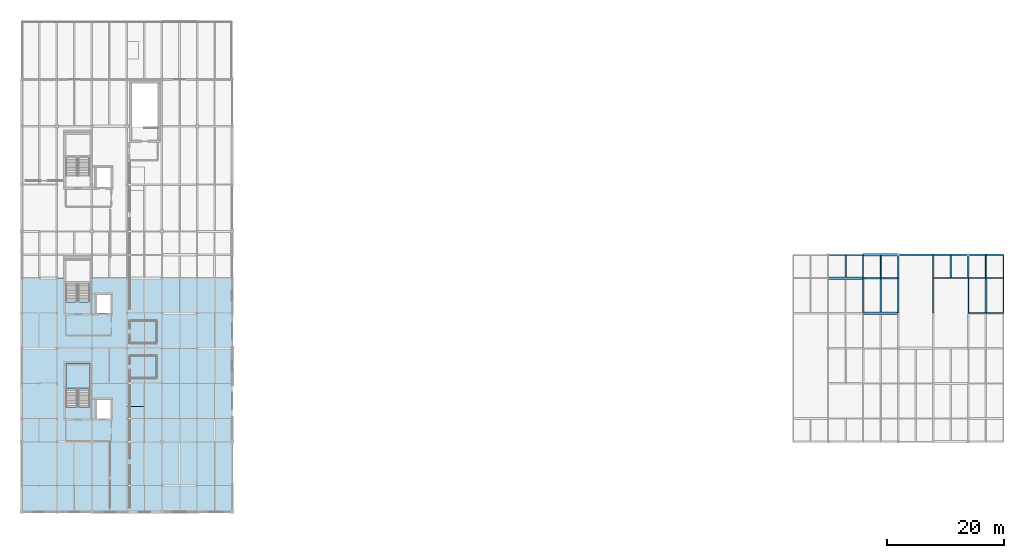
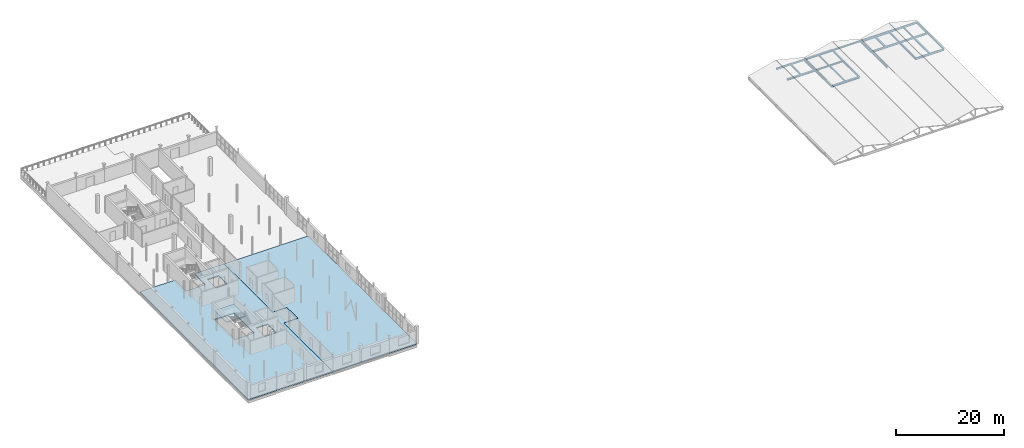
# One storey, part 23 of 35: 27 beams, 3 slabs, 1 element without a shape of its own.
"""IFC4 building model written with IfcOpenShell, lengths in metres."""

from ifc_helpers import new_model, si_unit, direction, frame, origin, origin_2d, place, context, subcontext, project, spatial, polyline, i_section, outline, extrude, material, layer, layer_set, material_profile, profile_set, type_object, element, aggregate, save


model = new_model("IFC4")

# Units and contexts
model_context = context("Model", 3, precision=1e-05, world=origin(), true_north=direction((0.0, 1.0)))
body_context = subcontext(model_context, "Body", "Model", "MODEL_VIEW")
ifc_project = project(units=[si_unit("LENGTHUNIT", "METRE"), si_unit("AREAUNIT", "SQUARE_METRE"), si_unit("VOLUMEUNIT", "CUBIC_METRE"), si_unit("PLANEANGLEUNIT", "RADIAN"), si_unit("MASSUNIT", "GRAM", prefix="KILO")], contexts=[model_context])

# Site, building, storey
site_placement = place(None, origin())
site = spatial("IfcSite", under=ifc_project, at=site_placement, CompositionType="ELEMENT")
building_placement = place(site_placement, origin())
building = spatial("IfcBuilding", under=site, at=building_placement, Name="Verrall Gate Interchange", CompositionType="ELEMENT")
storey_placement = place(building_placement, frame((0.0, 0.0, 15.39990234375)))
storey = spatial("IfcBuildingStorey", under=building, at=storey_placement, Name="L04", CompositionType="ELEMENT", Elevation=15.39990234375)

# Beams
ifc_material_1 = material(Name="Structural Steel CSA G40.21 350W", Category="steel")
ifc_material_profile_1 = material_profile(ifc_material_1, i_section(OverallWidth=0.2109375, OverallDepth=0.5390625, WebThickness=0.01171875, FlangeThickness=0.018798828125, FilletRadius=0.013916015625, at=origin_2d()), Name="W530x109")
ifc_profile_set_1 = profile_set([ifc_material_profile_1], Name="Structural Steel CSA G40.21 350W")
beam_type_1 = type_object("IfcBeamType", Name="B-10 Structural Beam W530x109", PredefinedType="BEAM", material=ifc_profile_set_1)
beam_1_placement = place(storey_placement, frame((156.0, 44.0, -0.599365234375), z_axis=(1.0, 0.0, 0.0), x_axis=(0.0, 1.0, 0.0)))
element("IfcBeam", 1, at=beam_1_placement, inside=storey, type_object=beam_type_1, Name="L04 Girder BM-L04-2601 (B-10)", PredefinedType="BEAM", context=body_context, shape_type="SweptSolid", body=[
    extrude(i_section(OverallWidth=0.2109375, OverallDepth=0.5390625, WebThickness=0.01171875, FlangeThickness=0.018798828125, FilletRadius=0.013916015625, at=origin_2d()), origin(), (0.0, 0.0, 1.0), 6.0),
])
ifc_material_2 = material(Name="Structural Steel CSA G40.21 350W", Category="steel")
ifc_material_profile_2 = material_profile(ifc_material_2, i_section(OverallWidth=0.19189453125, OverallDepth=0.462890625, WebThickness=0.010498046875, FlangeThickness=0.017578125, FilletRadius=0.012939453125, at=origin_2d()), Name="W460x89")
ifc_profile_set_2 = profile_set([ifc_material_profile_2], Name="Structural Steel CSA G40.21 350W")
beam_type_2 = type_object("IfcBeamType", Name="B-11 Structural Beam W460x89", PredefinedType="BEAM", material=ifc_profile_set_2)
for number, where, z_axis, x_axis, name in (
    (2, (162.0, 34.0, -0.5615234375), (1.0, 0.0, 0.0), (0.0, 1.0, 0.0), "L04 Girder BM-L04-2579 (B-11)"),
    (3, (156.0, 40.0, -0.5615234375), (1.0, 0.0, 0.0), (0.0, 1.0, 0.0), "L04 Girder BM-L04-2589 (B-11)"),
    (4, (162.0, 44.0, -0.5615234375), (1.0, 0.0, 0.0), (0.0, 1.0, 0.0), "L04 Girder BM-L04-2602 (B-11)"),
):
    element("IfcBeam", number, at=place(storey_placement, frame(where, z_axis=z_axis, x_axis=x_axis)), inside=storey, type_object=beam_type_2, Name=name, PredefinedType="BEAM", context=body_context, shape_type="SweptSolid", body=[
        extrude(i_section(OverallWidth=0.19189453125, OverallDepth=0.462890625, WebThickness=0.010498046875, FlangeThickness=0.017578125, FilletRadius=0.012939453125, at=origin_2d()), origin(), (0.0, 0.0, 1.0), 6.0),
    ])
beam_2_placement = place(storey_placement, frame((144.0, 40.0, -0.5615234375), z_axis=(0.0, 1.0, 0.0), x_axis=(-1.0, 0.0, 0.0)))
element("IfcBeam", 5, at=beam_2_placement, inside=storey, type_object=beam_type_2, Name="L04 Girder BM-L04-2740 (B-11)", PredefinedType="BEAM", context=body_context, shape_type="SweptSolid", body=[
    extrude(i_section(OverallWidth=0.19189453125, OverallDepth=0.462890625, WebThickness=0.010498046875, FlangeThickness=0.017578125, FilletRadius=0.012939453125, at=origin_2d()), origin(), (0.0, 0.0, 1.0), 4.0),
])
beam_3_placement = place(storey_placement, frame((150.0, 34.0, -0.5615234375), z_axis=(0.0, 1.0, 0.0), x_axis=(-1.0, 0.0, 0.0)))
element("IfcBeam", 6, at=beam_3_placement, inside=storey, type_object=beam_type_2, Name="L04 Girder BM-L04-2745 (B-11)", PredefinedType="BEAM", context=body_context, shape_type="SweptSolid", body=[
    extrude(i_section(OverallWidth=0.19189453125, OverallDepth=0.462890625, WebThickness=0.010498046875, FlangeThickness=0.017578125, FilletRadius=0.012939453125, at=origin_2d()), origin(), (0.0, 0.0, 1.0), 6.0),
])
beam_4_placement = place(storey_placement, frame((156.0, 40.0, -0.5615234375), z_axis=(0.0, 1.0, 0.0), x_axis=(-1.0, 0.0, 0.0)))
element("IfcBeam", 7, at=beam_4_placement, inside=storey, type_object=beam_type_2, Name="L04 Girder BM-L04-2752 (B-11)", PredefinedType="BEAM", context=body_context, shape_type="SweptSolid", body=[
    extrude(i_section(OverallWidth=0.19189453125, OverallDepth=0.462890625, WebThickness=0.010498046875, FlangeThickness=0.017578125, FilletRadius=0.012939453125, at=origin_2d()), origin(), (0.0, 0.0, 1.0), 4.0),
])
beam_5_placement = place(storey_placement, frame((162.0, 34.0, -0.5615234375), z_axis=(0.0, 1.0, 0.0), x_axis=(-1.0, 0.0, 0.0)))
element("IfcBeam", 8, at=beam_5_placement, inside=storey, type_object=beam_type_2, Name="L04 Girder BM-L04-2757 (B-11)", PredefinedType="BEAM", context=body_context, shape_type="SweptSolid", body=[
    extrude(i_section(OverallWidth=0.19189453125, OverallDepth=0.462890625, WebThickness=0.010498046875, FlangeThickness=0.017578125, FilletRadius=0.012939453125, at=origin_2d()), origin(), (0.0, 0.0, 1.0), 6.0),
])
beam_6_placement = place(storey_placement, frame((168.0, 40.0, -0.5615234375), z_axis=(0.0, 1.0, 0.0), x_axis=(-1.0, 0.0, 0.0)))
element("IfcBeam", 9, at=beam_6_placement, inside=storey, type_object=beam_type_2, Name="L04 Girder BM-L04-2764 (B-11)", PredefinedType="BEAM", context=body_context, shape_type="SweptSolid", body=[
    extrude(i_section(OverallWidth=0.19189453125, OverallDepth=0.462890625, WebThickness=0.010498046875, FlangeThickness=0.017578125, FilletRadius=0.012939453125, at=origin_2d()), origin(), (0.0, 0.0, 1.0), 4.0),
])
ifc_material_3 = material(Name="Structural Steel CSA G40.21 350W", Category="steel")
ifc_material_profile_3 = material_profile(ifc_material_3, i_section(OverallWidth=0.178955078125, OverallDepth=0.409912109375, WebThickness=0.0087890625, FlangeThickness=0.014404296875, FilletRadius=0.011962890625, at=origin_2d()), Name="W410x67")
ifc_profile_set_3 = profile_set([ifc_material_profile_3], Name="Structural Steel CSA G40.21 350W")
beam_type_3 = type_object("IfcBeamType", Name="B-12 Structural Beam W410x67", PredefinedType="BEAM", material=ifc_profile_set_3)
for number, where, z_axis, x_axis, name in (
    (10, (162.0, 40.0, -0.534912109375), (1.0, 0.0, 0.0), (0.0, 1.0, 0.0), "L04 Girder BM-L04-2590 (B-12)"),
    (11, (138.0, 44.0, -0.534912109375), (1.0, 0.0, 0.0), (0.0, 1.0, 0.0), "L04 Girder BM-L04-2598 (B-12)"),
):
    element("IfcBeam", number, at=place(storey_placement, frame(where, z_axis=z_axis, x_axis=x_axis)), inside=storey, type_object=beam_type_3, Name=name, PredefinedType="BEAM", context=body_context, shape_type="SweptSolid", body=[
        extrude(i_section(OverallWidth=0.178955078125, OverallDepth=0.409912109375, WebThickness=0.0087890625, FlangeThickness=0.014404296875, FilletRadius=0.011962890625, at=origin_2d()), origin(), (0.0, 0.0, 1.0), 6.0),
    ])
ifc_material_4 = material(Name="Structural Steel CSA G40.21 350W", Category="steel")
ifc_material_profile_4 = material_profile(ifc_material_4, i_section(OverallWidth=0.368896484375, OverallDepth=0.35595703125, WebThickness=0.01123046875, FlangeThickness=0.01806640625, FilletRadius=0.014892578125, at=origin_2d()), Name="W360x134")
ifc_profile_set_4 = profile_set([ifc_material_profile_4], Name="Structural Steel CSA G40.21 350W")
beam_type_4 = type_object("IfcBeamType", Name="B-13 Structural Beam W360x134", PredefinedType="BEAM", material=ifc_profile_set_4)
for number, where, z_axis, x_axis, name in (
    (12, (144.0, 34.0, -0.5078125), (1.0, 0.0, 0.0), (0.0, 1.0, 0.0), "L04 Girder BM-L04-2578 (B-13)"),
    (13, (138.0, 40.0, -0.5078125), (1.0, 0.0, 0.0), (0.0, 1.0, 0.0), "L04 Girder BM-L04-2587 (B-13)"),
    (14, (144.0, 44.0, -0.5078125), (1.0, 0.0, 0.0), (0.0, 1.0, 0.0), "L04 Girder BM-L04-2599 (B-13)"),
):
    element("IfcBeam", number, at=place(storey_placement, frame(where, z_axis=z_axis, x_axis=x_axis)), inside=storey, type_object=beam_type_4, Name=name, PredefinedType="BEAM", context=body_context, shape_type="SweptSolid", body=[
        extrude(i_section(OverallWidth=0.368896484375, OverallDepth=0.35595703125, WebThickness=0.01123046875, FlangeThickness=0.01806640625, FilletRadius=0.014892578125, at=origin_2d()), origin(), (0.0, 0.0, 1.0), 6.0),
    ])
ifc_material_5 = material(Name="Structural Steel CSA G40.21 350W", Category="steel")
ifc_material_profile_5 = material_profile(ifc_material_5, i_section(OverallWidth=0.205078125, OverallDepth=0.35400390625, WebThickness=0.009521484375, FlangeThickness=0.016845703125, FilletRadius=0.012939453125, at=origin_2d()), Name="W360x79")
ifc_profile_set_5 = profile_set([ifc_material_profile_5], Name="Structural Steel CSA G40.21 350W")
beam_type_5 = type_object("IfcBeamType", Name="B-14 Structural Beam W360x79", PredefinedType="BEAM", material=ifc_profile_set_5)
for number, where, z_axis, x_axis, name in (
    (15, (144.0, 40.0, -0.5068359375), (1.0, 0.0, 0.0), (0.0, 1.0, 0.0), "L04 Girder BM-L04-2588 (B-14)"),
    (16, (150.0, 44.0, -0.5068359375), (1.0, 0.0, 0.0), (0.0, 1.0, 0.0), "L04 Girder BM-L04-2600 (B-14)"),
    (17, (144.0, 34.0, -0.5068359375), (0.0, 1.0, 0.0), (-1.0, 0.0, 0.0), "L04 Girder BM-L04-2739 (B-14)"),
):
    element("IfcBeam", number, at=place(storey_placement, frame(where, z_axis=z_axis, x_axis=x_axis)), inside=storey, type_object=beam_type_5, Name=name, PredefinedType="BEAM", context=body_context, shape_type="SweptSolid", body=[
        extrude(i_section(OverallWidth=0.205078125, OverallDepth=0.35400390625, WebThickness=0.009521484375, FlangeThickness=0.016845703125, FilletRadius=0.012939453125, at=origin_2d()), origin(), (0.0, 0.0, 1.0), 6.0),
    ])
beam_7_placement = place(storey_placement, frame((150.0, 40.0, -0.5068359375), z_axis=(0.0, 1.0, 0.0), x_axis=(-1.0, 0.0, 0.0)))
element("IfcBeam", 18, at=beam_7_placement, inside=storey, type_object=beam_type_5, Name="L04 Girder BM-L04-2746 (B-14)", PredefinedType="BEAM", context=body_context, shape_type="SweptSolid", body=[
    extrude(i_section(OverallWidth=0.205078125, OverallDepth=0.35400390625, WebThickness=0.009521484375, FlangeThickness=0.016845703125, FilletRadius=0.012939453125, at=origin_2d()), origin(), (0.0, 0.0, 1.0), 4.0),
])
beam_8_placement = place(storey_placement, frame((156.0, 34.0, -0.5068359375), z_axis=(0.0, 1.0, 0.0), x_axis=(-1.0, 0.0, 0.0)))
element("IfcBeam", 19, at=beam_8_placement, inside=storey, type_object=beam_type_5, Name="L04 Girder BM-L04-2751 (B-14)", PredefinedType="BEAM", context=body_context, shape_type="SweptSolid", body=[
    extrude(i_section(OverallWidth=0.205078125, OverallDepth=0.35400390625, WebThickness=0.009521484375, FlangeThickness=0.016845703125, FilletRadius=0.012939453125, at=origin_2d()), origin(), (0.0, 0.0, 1.0), 6.0),
])
beam_9_placement = place(storey_placement, frame((162.0, 40.0, -0.5068359375), z_axis=(0.0, 1.0, 0.0), x_axis=(-1.0, 0.0, 0.0)))
element("IfcBeam", 20, at=beam_9_placement, inside=storey, type_object=beam_type_5, Name="L04 Girder BM-L04-2758 (B-14)", PredefinedType="BEAM", context=body_context, shape_type="SweptSolid", body=[
    extrude(i_section(OverallWidth=0.205078125, OverallDepth=0.35400390625, WebThickness=0.009521484375, FlangeThickness=0.016845703125, FilletRadius=0.012939453125, at=origin_2d()), origin(), (0.0, 0.0, 1.0), 4.0),
])
beam_10_placement = place(storey_placement, frame((168.0, 34.0, -0.5068359375), z_axis=(0.0, 1.0, 0.0), x_axis=(-1.0, 0.0, 0.0)))
element("IfcBeam", 21, at=beam_10_placement, inside=storey, type_object=beam_type_5, Name="L04 Girder BM-L04-2763 (B-14)", PredefinedType="BEAM", context=body_context, shape_type="SweptSolid", body=[
    extrude(i_section(OverallWidth=0.205078125, OverallDepth=0.35400390625, WebThickness=0.009521484375, FlangeThickness=0.016845703125, FilletRadius=0.012939453125, at=origin_2d()), origin(), (0.0, 0.0, 1.0), 6.0),
])
ifc_material_6 = material(Name="Structural Steel CSA G40.21 350W", Category="steel")
ifc_material_profile_6 = material_profile(ifc_material_6, i_section(OverallWidth=0.172119140625, OverallDepth=0.35791015625, WebThickness=0.0078125, FlangeThickness=0.01318359375, FilletRadius=0.010986328125, at=origin_2d()), Name="W360x57")
ifc_profile_set_6 = profile_set([ifc_material_profile_6], Name="Structural Steel CSA G40.21 350W")
beam_type_6 = type_object("IfcBeamType", Name="J-01 Floor Joist W360x57", PredefinedType="JOIST", material=ifc_profile_set_6)
beam_11_placement = place(storey_placement, frame((165.0, 40.089599609375, -0.5087890625), z_axis=(0.0, 1.0, 0.0), x_axis=(-1.0, 0.0, 0.0)))
element("IfcBeam", 22, at=beam_11_placement, inside=storey, type_object=beam_type_6, Name="L04 Secondary Floor Joist JST-L04-2823", PredefinedType="JOIST", context=body_context, shape_type="SweptSolid", body=[
    extrude(i_section(OverallWidth=0.172119140625, OverallDepth=0.35791015625, WebThickness=0.0078125, FlangeThickness=0.01318359375, FilletRadius=0.010986328125, at=origin_2d()), origin(), (0.0, 0.0, 1.0), 3.814453125),
])
ifc_material_7 = material(Name="Structural Steel CSA G40.21 350W", Category="steel")
ifc_material_profile_7 = material_profile(ifc_material_7, i_section(OverallWidth=0.306884765625, OverallDepth=0.31396484375, WebThickness=0.011962890625, FlangeThickness=0.018798828125, FilletRadius=0.013916015625, at=origin_2d()), Name="W310x118")
ifc_profile_set_7 = profile_set([ifc_material_profile_7], Name="Structural Steel CSA G40.21 350W")
beam_type_7 = type_object("IfcBeamType", Name="J-02 Floor Joist W310x118", PredefinedType="JOIST", material=ifc_profile_set_7)
beam_12_placement = place(storey_placement, frame((165.0, 34.095947265625, -0.48681640625), z_axis=(0.0, 1.0, 0.0), x_axis=(-1.0, 0.0, 0.0)))
element("IfcBeam", 23, at=beam_12_placement, inside=storey, type_object=beam_type_7, Name="L04 Secondary Floor Joist JST-L04-2814", PredefinedType="JOIST", context=body_context, shape_type="SweptSolid", body=[
    extrude(i_section(OverallWidth=0.306884765625, OverallDepth=0.31396484375, WebThickness=0.011962890625, FlangeThickness=0.018798828125, FilletRadius=0.013916015625, at=origin_2d()), origin(), (0.0, 0.0, 1.0), 5.814453125),
])
beam_13_placement = place(storey_placement, frame((159.0, 40.095947265625, -0.48681640625), z_axis=(0.0, 1.0, 0.0), x_axis=(-1.0, 0.0, 0.0)))
element("IfcBeam", 24, at=beam_13_placement, inside=storey, type_object=beam_type_7, Name="L04 Secondary Floor Joist JST-L04-2822", PredefinedType="JOIST", context=body_context, shape_type="SweptSolid", body=[
    extrude(i_section(OverallWidth=0.306884765625, OverallDepth=0.31396484375, WebThickness=0.011962890625, FlangeThickness=0.018798828125, FilletRadius=0.013916015625, at=origin_2d()), origin(), (0.0, 0.0, 1.0), 3.798583984375),
])
ifc_material_8 = material(Name="Structural Steel CSA G40.21 350W", Category="steel")
ifc_material_profile_8 = material_profile(ifc_material_8, i_section(OverallWidth=0.1650390625, OverallDepth=0.31005859375, WebThickness=0.005859375, FlangeThickness=0.009765625, FilletRadius=0.010009765625, at=origin_2d()), Name="W310x39")
ifc_profile_set_8 = profile_set([ifc_material_profile_8], Name="Structural Steel CSA G40.21 350W")
beam_type_8 = type_object("IfcBeamType", Name="J-04 Floor Joist W310x39", PredefinedType="JOIST", material=ifc_profile_set_8)
beam_14_placement = place(storey_placement, frame((147.0, 40.1025390625, -0.48486328125), z_axis=(0.0, 1.0, 0.0), x_axis=(-1.0, 0.0, 0.0)))
element("IfcBeam", 25, at=beam_14_placement, inside=storey, type_object=beam_type_8, Name="L04 Secondary Floor Joist JST-L04-2821", PredefinedType="JOIST", context=body_context, shape_type="SweptSolid", body=[
    extrude(i_section(OverallWidth=0.1650390625, OverallDepth=0.31005859375, WebThickness=0.005859375, FlangeThickness=0.009765625, FilletRadius=0.010009765625, at=origin_2d()), origin(), (0.0, 0.0, 1.0), 3.712890625),
])
ifc_material_9 = material(Name="Structural Steel CSA G40.21 350W", Category="steel")
ifc_material_profile_9 = material_profile(ifc_material_9, i_section(OverallWidth=0.25390625, OverallDepth=0.2529296875, WebThickness=0.008544921875, FlangeThickness=0.01416015625, FilletRadius=0.011962890625, at=origin_2d()), Name="W250x73")
ifc_profile_set_9 = profile_set([ifc_material_profile_9], Name="Structural Steel CSA G40.21 350W")
beam_type_9 = type_object("IfcBeamType", Name="J-05 Floor Joist W250x73", PredefinedType="JOIST", material=ifc_profile_set_9)
beam_15_placement = place(storey_placement, frame((147.0, 34.1845703125, -0.456298828125), z_axis=(0.0, 1.0, 0.0), x_axis=(-1.0, 0.0, 0.0)))
element("IfcBeam", 26, at=beam_15_placement, inside=storey, type_object=beam_type_9, Name="L04 Secondary Floor Joist JST-L04-2813", PredefinedType="JOIST", context=body_context, shape_type="SweptSolid", body=[
    extrude(i_section(OverallWidth=0.25390625, OverallDepth=0.2529296875, WebThickness=0.008544921875, FlangeThickness=0.01416015625, FilletRadius=0.011962890625, at=origin_2d()), origin(), (0.0, 0.0, 1.0), 5.712890625),
])
beam_16_placement = place(storey_placement, frame((141.0, 40.1845703125, -0.456298828125), z_axis=(0.0, 1.0, 0.0), x_axis=(-1.0, 0.0, 0.0)))
element("IfcBeam", 27, at=beam_16_placement, inside=storey, type_object=beam_type_9, Name="L04 Secondary Floor Joist JST-L04-2820", PredefinedType="JOIST", context=body_context, shape_type="SweptSolid", body=[
    extrude(i_section(OverallWidth=0.25390625, OverallDepth=0.2529296875, WebThickness=0.008544921875, FlangeThickness=0.01416015625, FilletRadius=0.011962890625, at=origin_2d()), origin(), (0.0, 0.0, 1.0), 3.725830078125),
])

# Slabs
ifc_material_10 = material(Name="Concrete CSA A23.1 40 MPa (Class N)", Category="concrete")
ifc_layer_1 = layer(ifc_material_10, 0.239990234375)
ifc_layer_set_1 = layer_set([ifc_layer_1], Name="Concrete CSA A23.1 40 MPa (Class N)")
slab_type_1 = type_object("IfcSlabType", Name="FS-10 Floor Slab 240", PredefinedType="FLOOR", material=ifc_layer_set_1)
slab_1_placement = place(storey_placement, frame((0.0, 0.0, -0.239990234375)))
element("IfcSlab", 28, at=slab_1_placement, inside=storey, type_object=slab_type_1, Name="L04 Structural Slab SLB-L04-01", PredefinedType="FLOOR", context=body_context, shape_type="SweptSolid", body=[
    extrude(outline(polyline([(0.0, 0.0), (0.0, 40.0), (7.550048828125, 40.0), (7.550048828125, 35.949951171875), (11.64990234375, 35.949951171875), (11.64990234375, 40.0), (18.0, 40.0), (18.0, 22.0), (21.0, 22.0), (21.0, 18.0), (18.0, 18.0), (18.0, 0.0), (0.0, 0.0)]), holes=[polyline([(12.85009765625, 16.0), (15.25, 16.0), (15.25, 19.199951171875), (12.85009765625, 19.199951171875), (12.85009765625, 16.0)]), polyline([(12.85009765625, 37.199951171875), (12.85009765625, 34.0), (15.25, 34.0), (15.25, 37.199951171875), (12.85009765625, 37.199951171875)]), polyline([(7.550048828125, 25.39990234375), (7.550048828125, 17.949951171875), (11.64990234375, 17.949951171875), (11.64990234375, 25.39990234375), (7.550048828125, 25.39990234375)])]), origin(), (0.0, 0.0, 1.0), 0.239990234375),
])
slab_2_placement = place(storey_placement, frame((0.0, 0.0, -0.239990234375)))
element("IfcSlab", 29, at=slab_2_placement, inside=storey, type_object=slab_type_1, Name="L04 Structural Slab SLB-L04-02", PredefinedType="FLOOR", context=body_context, shape_type="SweptSolid", body=[
    extrude(outline(polyline([(36.0, 0.0), (18.0, 0.0), (18.0, 18.0), (21.0, 18.0), (21.0, 22.0), (18.0, 22.0), (18.0, 40.0), (36.0, 40.0), (36.0, 0.0)])), origin(), (0.0, 0.0, 1.0), 0.239990234375),
])

# Stair, slab
ifc_material_11 = material(Name="Concrete CSA A23.1 40 MPa (Class N)", Category="concrete")
stair_type = type_object("IfcStairType", Name="ST-T04 Straight-Flight Return Exit Stair W1950 H4000", PredefinedType="STRAIGHT_RUN_STAIR", material=ifc_material_11)
stair_placement = place(storey_placement, origin())
stair = element("IfcStair", 30, at=stair_placement, inside=storey, type_object=stair_type, Name="L04 ST-01", PredefinedType="STRAIGHT_RUN_STAIR")
ifc_material_12 = material(Name="Concrete CSA A23.1 40 MPa (Class N)", Category="concrete")
ifc_layer_2 = layer(ifc_material_12, 0.18994140625)
ifc_layer_set_2 = layer_set([ifc_layer_2], Name="Concrete CSA A23.1 40 MPa (Class N)")
slab_type_2 = type_object("IfcSlabType", Name="LS-01 Stair Landing Slab 190", PredefinedType="LANDING", material=ifc_layer_set_2)
slab_3_placement = place(storey_placement, frame((0.0, 0.0, 1.800048828125)))
slab_3 = element("IfcSlab", 31, at=slab_3_placement, type_object=slab_type_2, Name="ST-01 landing 1", PredefinedType="LANDING", context=body_context, shape_type="SweptSolid", body=[
    extrude(outline(polyline([(11.64990234375, 21.030029296875), (11.64990234375, 25.39990234375), (7.550048828125, 25.39990234375), (7.550048828125, 21.030029296875), (11.64990234375, 21.030029296875)])), origin(), (0.0, 0.0, 1.0), 0.199951171875),
])
aggregate(stair, [slab_3])

save(model, "model.ifc")
